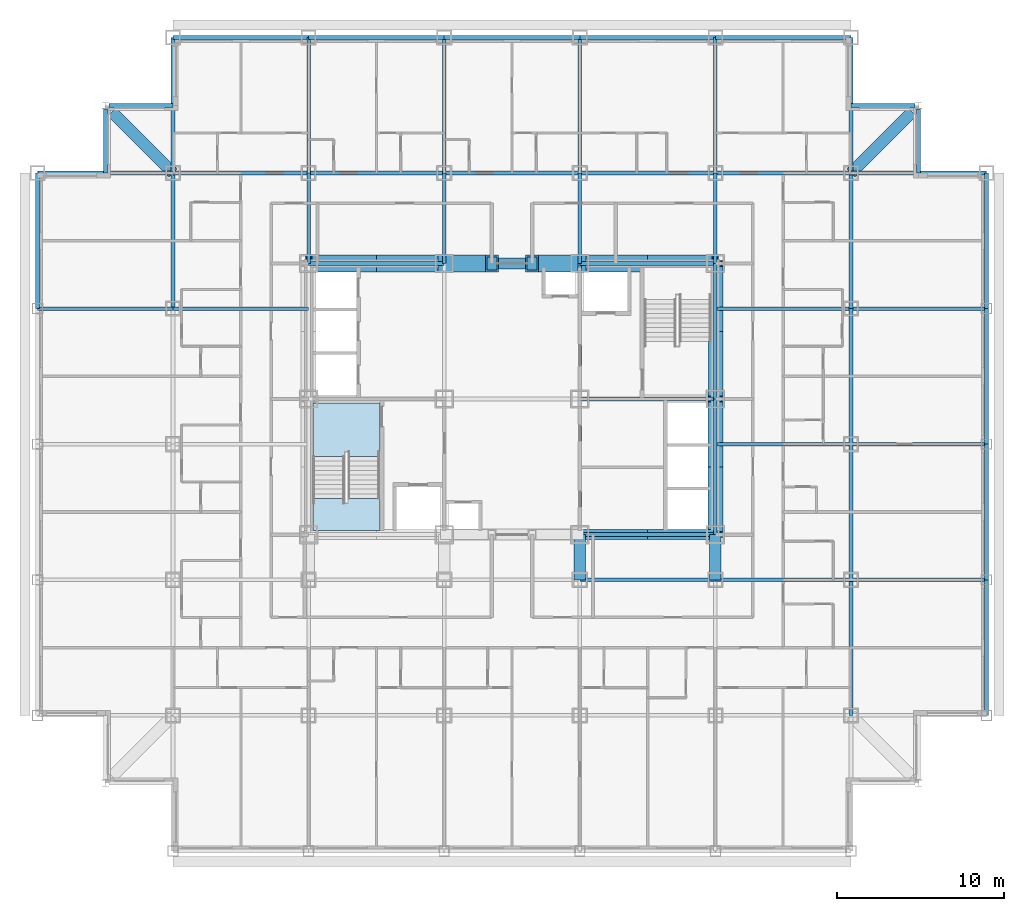
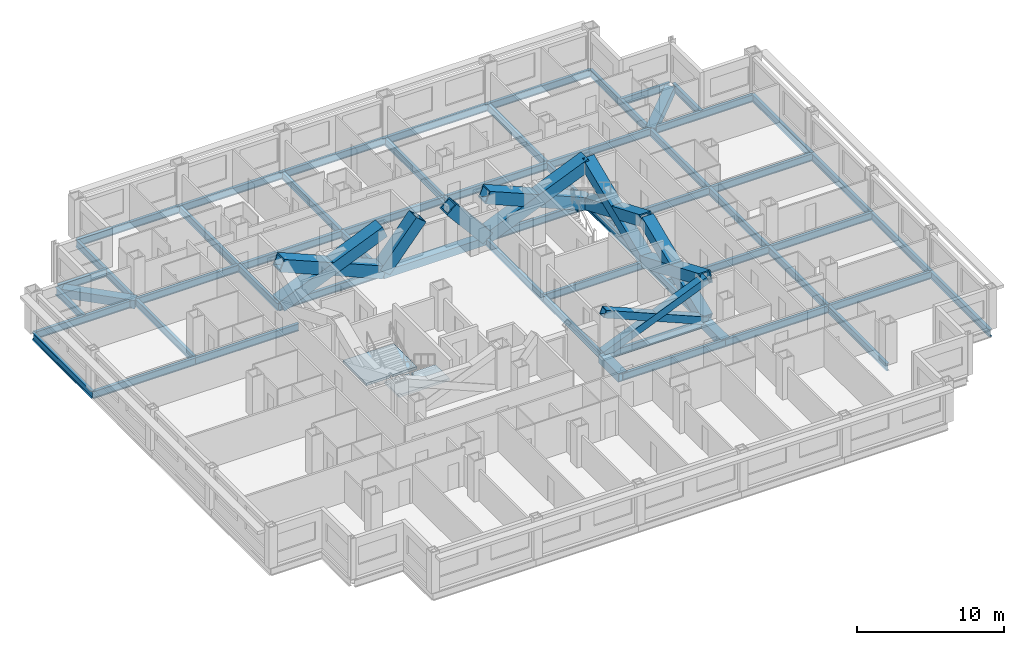
# One storey, part 2 of 12: 58 beams, 12 members, 2 slabs, 1 element without a shape of its own.
"""IFC4 building model written with IfcOpenShell, lengths in metres."""

from ifc_helpers import new_model, si_unit, direction, frame, origin, origin_2d, place, context, subcontext, project, spatial, polyline, hollow_rectangle, i_section, outline, extrude, material, layer, layer_set, material_profile, profile_set, type_object, element, aggregate, save


model = new_model("IFC4")

# Units and contexts
model_context = context("Model", 3, precision=1e-05, world=origin(), true_north=direction((0.0, 1.0)))
body_context = subcontext(model_context, "Body", "Model", "MODEL_VIEW")
ifc_project = project(units=[si_unit("LENGTHUNIT", "METRE"), si_unit("AREAUNIT", "SQUARE_METRE"), si_unit("VOLUMEUNIT", "CUBIC_METRE"), si_unit("PLANEANGLEUNIT", "RADIAN"), si_unit("MASSUNIT", "GRAM", prefix="KILO")], contexts=[model_context])

# Site, building, storey
site_placement = place(None, origin())
site = spatial("IfcSite", under=ifc_project, at=site_placement, CompositionType="ELEMENT")
building_placement = place(site_placement, origin())
building = spatial("IfcBuilding", under=site, at=building_placement, Name="Kopane Lantern Tower", CompositionType="ELEMENT")
storey_placement = place(building_placement, frame((0.0, 0.0, 120.39990234375)))
storey = spatial("IfcBuildingStorey", under=building, at=storey_placement, Name="L30", CompositionType="ELEMENT", Elevation=120.39990234375)

# Members
ifc_material_1 = material(Name="Steel S355JR", Category="steel")
ifc_material_profile_1 = material_profile(ifc_material_1, hollow_rectangle(XDim=1.0, YDim=1.0, WallThickness=0.10009765625, at=origin_2d()), Name="BOX 1000x1000x100")
ifc_profile_set_1 = profile_set([ifc_material_profile_1], Name="Steel S355JR")
member_type_1 = type_object("IfcMemberType", Name="BRACE BOX 1000x1000x100", PredefinedType="BRACE", material=ifc_profile_set_1)
for number, where, z_axis, x_axis, name in (
    (1, (16.199951171875, 40.5, -0.2099609375), (0.92205908274, 0.0, 0.387049154419), (0.0, 1.0, 0.0), "Core brace L30"),
    (2, (24.300048828125, 40.5, -0.2099609375), (-0.92205908274, 0.0, 0.387049154419), (0.0, -1.0, 0.0), "Core brace L30"),
):
    element("IfcMember", number, at=place(storey_placement, frame(where, z_axis=z_axis, x_axis=x_axis)), inside=storey, type_object=member_type_1, Name=name, PredefinedType="BRACE", context=body_context, shape_type="SweptSolid", body=[
        extrude(hollow_rectangle(XDim=1.0, YDim=1.0, WallThickness=0.10009765625, at=origin_2d()), origin(), (0.0, 0.0, 1.0), 8.784912109375),
    ])
for number, where, z_axis, x_axis, name in (
    (3, (24.300048828125, 40.5, -0.2099609375), (0.642363165114, 0.0, 0.766400394118), (0.0, 1.0, 0.0), "Core brace L30"),
    (4, (32.39990234375, 40.5, -0.2099609375), (-0.642363165114, 0.0, 0.766400394118), (0.0, -1.0, 0.0), "Core brace L30"),
):
    element("IfcMember", number, at=place(storey_placement, frame(where, z_axis=z_axis, x_axis=x_axis)), inside=storey, type_object=member_type_1, Name=name, PredefinedType="BRACE", context=body_context, shape_type="SweptSolid", body=[
        extrude(hollow_rectangle(XDim=1.0, YDim=1.0, WallThickness=0.10009765625, at=origin_2d()), origin(), (0.0, 0.0, 1.0), 4.4365234375),
    ])
for number, where, z_axis, x_axis, name in (
    (5, (32.39990234375, 40.5, -0.2099609375), (0.92205908274, 0.0, 0.387049154419), (0.0, 1.0, 0.0), "Core brace L30"),
    (6, (40.5, 40.5, -0.2099609375), (-0.92205908274, 0.0, 0.387049154419), (0.0, -1.0, 0.0), "Core brace L30"),
):
    element("IfcMember", number, at=place(storey_placement, frame(where, z_axis=z_axis, x_axis=x_axis)), inside=storey, type_object=member_type_1, Name=name, PredefinedType="BRACE", context=body_context, shape_type="SweptSolid", body=[
        extrude(hollow_rectangle(XDim=1.0, YDim=1.0, WallThickness=0.10009765625, at=origin_2d()), origin(), (0.0, 0.0, 1.0), 8.784912109375),
    ])
ifc_material_2 = material(Name="Steel S355JR", Category="steel")
ifc_material_profile_2 = material_profile(ifc_material_2, hollow_rectangle(XDim=0.60009765625, YDim=0.60009765625, WallThickness=0.050048828125, at=origin_2d()), Name="BOX 600x600x50")
ifc_profile_set_2 = profile_set([ifc_material_profile_2], Name="Steel S355JR")
member_type_2 = type_object("IfcMemberType", Name="BRACE BOX 600x600x50", PredefinedType="BRACE", material=ifc_profile_set_2)
for number, where, z_axis, x_axis, name in (
    (7, (32.39990234375, 24.300048828125, -0.2099609375), (0.92205908274, 0.0, 0.387049154419), (0.0, 1.0, 0.0), "Core brace L30"),
    (8, (40.5, 24.300048828125, -0.2099609375), (-0.92205908274, 0.0, 0.387049154419), (0.0, -1.0, 0.0), "Core brace L30"),
):
    element("IfcMember", number, at=place(storey_placement, frame(where, z_axis=z_axis, x_axis=x_axis)), inside=storey, type_object=member_type_2, Name=name, PredefinedType="BRACE", context=body_context, shape_type="SweptSolid", body=[
        extrude(hollow_rectangle(XDim=0.60009765625, YDim=0.60009765625, WallThickness=0.050048828125, at=origin_2d()), origin(), (0.0, 0.0, 1.0), 8.784912109375),
    ])
ifc_material_3 = material(Name="Steel S355JR", Category="steel")
ifc_material_profile_3 = material_profile(ifc_material_3, hollow_rectangle(XDim=0.89990234375, YDim=0.89990234375, WallThickness=0.090087890625, at=origin_2d()), Name="BOX 900x900x90")
ifc_profile_set_3 = profile_set([ifc_material_profile_3], Name="Steel S355JR")
member_type_3 = type_object("IfcMemberType", Name="BRACE BOX 900x900x90", PredefinedType="BRACE", material=ifc_profile_set_3)
for number, where, z_axis, x_axis, name in (
    (9, (40.5, 24.300048828125, -0.2099609375), (0.0, 0.92205491925, 0.387059072864), (-1.0, 0.0, 0.0), "Core brace L30"),
    (10, (40.5, 32.39990234375, -0.2099609375), (0.0, -0.92205491925, 0.387059072864), (1.0, 0.0, 0.0), "Core brace L30"),
):
    element("IfcMember", number, at=place(storey_placement, frame(where, z_axis=z_axis, x_axis=x_axis)), inside=storey, type_object=member_type_3, Name=name, PredefinedType="BRACE", context=body_context, shape_type="SweptSolid", body=[
        extrude(hollow_rectangle(XDim=0.89990234375, YDim=0.89990234375, WallThickness=0.090087890625, at=origin_2d()), origin(), (0.0, 0.0, 1.0), 8.78466796875),
    ])
for number, where, z_axis, x_axis, name in (
    (11, (40.5, 32.39990234375, -0.2099609375), (0.0, 0.92205908274, 0.387049154419), (-1.0, 0.0, 0.0), "Core brace L30"),
    (12, (40.5, 40.5, -0.2099609375), (0.0, -0.92205908274, 0.387049154419), (1.0, 0.0, 0.0), "Core brace L30"),
):
    element("IfcMember", number, at=place(storey_placement, frame(where, z_axis=z_axis, x_axis=x_axis)), inside=storey, type_object=member_type_3, Name=name, PredefinedType="BRACE", context=body_context, shape_type="SweptSolid", body=[
        extrude(hollow_rectangle(XDim=0.89990234375, YDim=0.89990234375, WallThickness=0.090087890625, at=origin_2d()), origin(), (0.0, 0.0, 1.0), 8.784912109375),
    ])

# Beams
ifc_material_4 = material(Name="Steel S355JR", Category="steel")
ifc_material_profile_4 = material_profile(ifc_material_4, i_section(OverallWidth=0.22900390625, OverallDepth=0.6123046875, WebThickness=0.011962890625, FlangeThickness=0.01953125, FilletRadius=0.0126953125, at=origin_2d()), Name="UB 610x229x125")
ifc_profile_set_4 = profile_set([ifc_material_profile_4], Name="Steel S355JR")
beam_type_1 = type_object("IfcBeamType", Name="CORE BEAM UB 610x229x125", PredefinedType="BEAM", material=ifc_profile_set_4)
beam_1_placement = place(storey_placement, frame((32.39990234375, 24.300048828125, -0.51611328125), z_axis=(0.0, 1.0, 0.0), x_axis=(-1.0, 0.0, 0.0)))
element("IfcBeam", 13, at=beam_1_placement, inside=storey, type_object=beam_type_1, Name="Core Beam L30", PredefinedType="BEAM", context=body_context, shape_type="SweptSolid", body=[
    extrude(i_section(OverallWidth=0.22900390625, OverallDepth=0.6123046875, WebThickness=0.011962890625, FlangeThickness=0.01953125, FilletRadius=0.0126953125, at=origin_2d()), origin(), (0.0, 0.0, 1.0), 8.099853515625),
])
for number, where, z_axis, x_axis, name in (
    (14, (32.39990234375, 32.39990234375, -0.51611328125), (0.0, 1.0, 0.0), (-1.0, 0.0, 0.0), "Core Beam L30"),
    (15, (32.39990234375, 32.39990234375, -0.51611328125), (1.0, 0.0, 0.0), (0.0, 1.0, 0.0), "Core Beam L30"),
):
    element("IfcBeam", number, at=place(storey_placement, frame(where, z_axis=z_axis, x_axis=x_axis)), inside=storey, type_object=beam_type_1, Name=name, PredefinedType="BEAM", context=body_context, shape_type="SweptSolid", body=[
        extrude(i_section(OverallWidth=0.22900390625, OverallDepth=0.6123046875, WebThickness=0.011962890625, FlangeThickness=0.01953125, FilletRadius=0.0126953125, at=origin_2d()), origin(), (0.0, 0.0, 1.0), 8.10009765625),
    ])
ifc_material_5 = material(Name="Steel S355JR", Category="steel")
ifc_material_profile_5 = material_profile(ifc_material_5, hollow_rectangle(XDim=0.699951171875, YDim=0.699951171875, WallThickness=0.06005859375, at=origin_2d()), Name="BOX 700x700x60")
ifc_profile_set_5 = profile_set([ifc_material_profile_5], Name="Steel S355JR")
beam_type_2 = type_object("IfcBeamType", Name="CORNER TIE BEAM BOX 700x700x60", PredefinedType="BEAM", material=ifc_profile_set_5)
beam_2_placement = place(storey_placement, frame((4.447509765625, 49.552490234375, -0.559814453125), z_axis=(0.707106781187, -0.707106781187, 0.0), x_axis=(0.707106781187, 0.707106781187, 0.0)))
element("IfcBeam", 16, at=beam_2_placement, inside=storey, type_object=beam_type_2, Name="Corner Tie Beam L30", PredefinedType="BEAM", context=body_context, shape_type="SweptSolid", body=[
    extrude(hollow_rectangle(XDim=0.699951171875, YDim=0.699951171875, WallThickness=0.06005859375, at=origin_2d()), origin(), (0.0, 0.0, 1.0), 5.16552734375),
])
beam_3_placement = place(storey_placement, frame((52.25244140625, 49.552490234375, -0.559814453125), z_axis=(-0.707083148333, -0.70713041325, 0.0), x_axis=(0.70713041325, -0.707083148333, 0.0)))
element("IfcBeam", 17, at=beam_3_placement, inside=storey, type_object=beam_type_2, Name="Corner Tie Beam L30", PredefinedType="BEAM", context=body_context, shape_type="SweptSolid", body=[
    extrude(hollow_rectangle(XDim=0.699951171875, YDim=0.699951171875, WallThickness=0.06005859375, at=origin_2d()), origin(), (0.0, 0.0, 1.0), 5.165283203125),
])
ifc_material_6 = material(Name="Steel S355JR", Category="steel")
ifc_material_profile_6 = material_profile(ifc_material_6, i_section(OverallWidth=0.22900390625, OverallDepth=0.6123046875, WebThickness=0.011962890625, FlangeThickness=0.01953125, FilletRadius=0.0126953125, at=origin_2d()), Name="UB 610x229x125")
ifc_profile_set_6 = profile_set([ifc_material_profile_6], Name="Steel S355JR")
beam_type_3 = type_object("IfcBeamType", Name="EDGE BEAM UB 610x229x125", PredefinedType="BEAM", material=ifc_profile_set_6)
for number, where, z_axis, x_axis, name in (
    (18, (4.050048828125, 49.74658203125, -0.51611328125), (0.0, -1.0, 0.0), (1.0, 0.0, 0.0), "Edge Beam L30"),
    (19, (4.25341796875, 49.949951171875, -0.51611328125), (1.0, 0.0, 0.0), (0.0, 1.0, 0.0), "Edge Beam L30"),
):
    element("IfcBeam", number, at=place(storey_placement, frame(where, z_axis=z_axis, x_axis=x_axis)), inside=storey, type_object=beam_type_3, Name=name, PredefinedType="BEAM", context=body_context, shape_type="SweptSolid", body=[
        extrude(i_section(OverallWidth=0.22900390625, OverallDepth=0.6123046875, WebThickness=0.011962890625, FlangeThickness=0.01953125, FilletRadius=0.0126953125, at=origin_2d()), origin(), (0.0, 0.0, 1.0), 3.8466796875),
    ])
beam_4_placement = place(storey_placement, frame((52.446533203125, 49.949951171875, -0.51611328125), z_axis=(-1.0, 0.0, 0.0), x_axis=(0.0, -1.0, 0.0)))
element("IfcBeam", 20, at=beam_4_placement, inside=storey, type_object=beam_type_3, Name="Edge Beam L30", PredefinedType="BEAM", context=body_context, shape_type="SweptSolid", body=[
    extrude(i_section(OverallWidth=0.22900390625, OverallDepth=0.6123046875, WebThickness=0.011962890625, FlangeThickness=0.01953125, FilletRadius=0.0126953125, at=origin_2d()), origin(), (0.0, 0.0, 1.0), 3.846435546875),
])
beam_5_placement = place(storey_placement, frame((52.64990234375, 49.74658203125, -0.51611328125), z_axis=(0.0, -1.0, 0.0), x_axis=(1.0, 0.0, 0.0)))
element("IfcBeam", 21, at=beam_5_placement, inside=storey, type_object=beam_type_3, Name="Edge Beam L30", PredefinedType="BEAM", context=body_context, shape_type="SweptSolid", body=[
    extrude(i_section(OverallWidth=0.22900390625, OverallDepth=0.6123046875, WebThickness=0.011962890625, FlangeThickness=0.01953125, FilletRadius=0.0126953125, at=origin_2d()), origin(), (0.0, 0.0, 1.0), 3.8466796875),
])
ifc_material_7 = material(Name="Steel S355JR", Category="steel")
ifc_material_profile_7 = material_profile(ifc_material_7, hollow_rectangle(XDim=0.699951171875, YDim=0.699951171875, WallThickness=0.06005859375, at=origin_2d()), Name="BOX 700x700x60")
ifc_profile_set_7 = profile_set([ifc_material_profile_7], Name="Steel S355JR")
beam_type_4 = type_object("IfcBeamType", Name="GIRDER BOX 700x700x60", PredefinedType="BEAM", material=ifc_profile_set_7)
for number, where, z_axis, x_axis, name in (
    (22, (32.39990234375, 21.60009765625, -0.559814453125), (0.0, 1.0, 0.0), (-1.0, 0.0, 0.0), "Girder L30"),
    (23, (40.5, 21.60009765625, -0.559814453125), (0.0, 1.0, 0.0), (-1.0, 0.0, 0.0), "Girder L30"),
):
    element("IfcBeam", number, at=place(storey_placement, frame(where, z_axis=z_axis, x_axis=x_axis)), inside=storey, type_object=beam_type_4, Name=name, PredefinedType="BEAM", context=body_context, shape_type="SweptSolid", body=[
        extrude(hollow_rectangle(XDim=0.699951171875, YDim=0.699951171875, WallThickness=0.06005859375, at=origin_2d()), origin(), (0.0, 0.0, 1.0), 2.699951171875),
    ])
ifc_material_8 = material(Name="Steel S355JR", Category="steel")
ifc_material_profile_8 = material_profile(ifc_material_8, i_section(OverallWidth=0.22900390625, OverallDepth=0.6123046875, WebThickness=0.011962890625, FlangeThickness=0.01953125, FilletRadius=0.0126953125, at=origin_2d()), Name="UB 610x229x125")
ifc_profile_set_8 = profile_set([ifc_material_profile_8], Name="Steel S355JR")
beam_type_5 = type_object("IfcBeamType", Name="GIRDER UB 610x229x125", PredefinedType="BEAM", material=ifc_profile_set_8)
beam_6_placement = place(storey_placement, frame((0.0, 37.800048828125, -0.51611328125), z_axis=(0.0, 1.0, 0.0), x_axis=(-1.0, 0.0, 0.0)))
element("IfcBeam", 24, at=beam_6_placement, inside=storey, type_object=beam_type_5, Name="Girder L30", PredefinedType="BEAM", context=body_context, shape_type="SweptSolid", body=[
    extrude(i_section(OverallWidth=0.22900390625, OverallDepth=0.6123046875, WebThickness=0.011962890625, FlangeThickness=0.01953125, FilletRadius=0.0126953125, at=origin_2d()), origin(), (0.0, 0.0, 1.0), 8.099853515625),
])
for number, where, z_axis, x_axis, name in (
    (25, (0.0, 37.800048828125, -0.51611328125), (1.0, 0.0, 0.0), (0.0, 1.0, 0.0), "Girder L30"),
    (26, (0.0, 45.89990234375, -0.51611328125), (1.0, 0.0, 0.0), (0.0, 1.0, 0.0), "Girder L30"),
):
    element("IfcBeam", number, at=place(storey_placement, frame(where, z_axis=z_axis, x_axis=x_axis)), inside=storey, type_object=beam_type_5, Name=name, PredefinedType="BEAM", context=body_context, shape_type="SweptSolid", body=[
        extrude(i_section(OverallWidth=0.22900390625, OverallDepth=0.6123046875, WebThickness=0.011962890625, FlangeThickness=0.01953125, FilletRadius=0.0126953125, at=origin_2d()), origin(), (0.0, 0.0, 1.0), 8.10009765625),
    ])
for number, where, z_axis, x_axis, name in (
    (27, (8.10009765625, 37.800048828125, -0.51611328125), (0.0, 1.0, 0.0), (-1.0, 0.0, 0.0), "Girder L30"),
    (28, (8.10009765625, 37.800048828125, -0.51611328125), (1.0, 0.0, 0.0), (0.0, 1.0, 0.0), "Girder L30"),
):
    element("IfcBeam", number, at=place(storey_placement, frame(where, z_axis=z_axis, x_axis=x_axis)), inside=storey, type_object=beam_type_5, Name=name, PredefinedType="BEAM", context=body_context, shape_type="SweptSolid", body=[
        extrude(i_section(OverallWidth=0.22900390625, OverallDepth=0.6123046875, WebThickness=0.011962890625, FlangeThickness=0.01953125, FilletRadius=0.0126953125, at=origin_2d()), origin(), (0.0, 0.0, 1.0), 8.099853515625),
    ])
beam_7_placement = place(storey_placement, frame((8.10009765625, 45.89990234375, -0.51611328125), z_axis=(0.0, 1.0, 0.0), x_axis=(-1.0, 0.0, 0.0)))
element("IfcBeam", 29, at=beam_7_placement, inside=storey, type_object=beam_type_5, Name="Girder L30", PredefinedType="BEAM", context=body_context, shape_type="SweptSolid", body=[
    extrude(i_section(OverallWidth=0.22900390625, OverallDepth=0.6123046875, WebThickness=0.011962890625, FlangeThickness=0.01953125, FilletRadius=0.0126953125, at=origin_2d()), origin(), (0.0, 0.0, 1.0), 8.10009765625),
])
for number, where, z_axis, x_axis, name in (
    (30, (8.10009765625, 45.89990234375, -0.51611328125), (1.0, 0.0, 0.0), (0.0, 1.0, 0.0), "Girder L30"),
    (31, (8.10009765625, 54.0, -0.51611328125), (1.0, 0.0, 0.0), (0.0, 1.0, 0.0), "Girder L30"),
):
    element("IfcBeam", number, at=place(storey_placement, frame(where, z_axis=z_axis, x_axis=x_axis)), inside=storey, type_object=beam_type_5, Name=name, PredefinedType="BEAM", context=body_context, shape_type="SweptSolid", body=[
        extrude(i_section(OverallWidth=0.22900390625, OverallDepth=0.6123046875, WebThickness=0.011962890625, FlangeThickness=0.01953125, FilletRadius=0.0126953125, at=origin_2d()), origin(), (0.0, 0.0, 1.0), 8.099853515625),
    ])
beam_8_placement = place(storey_placement, frame((16.199951171875, 40.5, -0.51611328125), z_axis=(0.0, 1.0, 0.0), x_axis=(-1.0, 0.0, 0.0)))
element("IfcBeam", 32, at=beam_8_placement, inside=storey, type_object=beam_type_5, Name="Girder L30", PredefinedType="BEAM", context=body_context, shape_type="SweptSolid", body=[
    extrude(i_section(OverallWidth=0.22900390625, OverallDepth=0.6123046875, WebThickness=0.011962890625, FlangeThickness=0.01953125, FilletRadius=0.0126953125, at=origin_2d()), origin(), (0.0, 0.0, 1.0), 5.39990234375),
])
for number, where, z_axis, x_axis, name in (
    (33, (16.199951171875, 40.5, -0.51611328125), (1.0, 0.0, 0.0), (0.0, 1.0, 0.0), "Girder L30"),
    (34, (16.199951171875, 45.89990234375, -0.51611328125), (0.0, 1.0, 0.0), (-1.0, 0.0, 0.0), "Girder L30"),
    (35, (16.199951171875, 45.89990234375, -0.51611328125), (1.0, 0.0, 0.0), (0.0, 1.0, 0.0), "Girder L30"),
    (36, (16.199951171875, 54.0, -0.51611328125), (1.0, 0.0, 0.0), (0.0, 1.0, 0.0), "Girder L30"),
):
    element("IfcBeam", number, at=place(storey_placement, frame(where, z_axis=z_axis, x_axis=x_axis)), inside=storey, type_object=beam_type_5, Name=name, PredefinedType="BEAM", context=body_context, shape_type="SweptSolid", body=[
        extrude(i_section(OverallWidth=0.22900390625, OverallDepth=0.6123046875, WebThickness=0.011962890625, FlangeThickness=0.01953125, FilletRadius=0.0126953125, at=origin_2d()), origin(), (0.0, 0.0, 1.0), 8.10009765625),
    ])
beam_9_placement = place(storey_placement, frame((24.300048828125, 40.5, -0.51611328125), z_axis=(0.0, 1.0, 0.0), x_axis=(-1.0, 0.0, 0.0)))
element("IfcBeam", 37, at=beam_9_placement, inside=storey, type_object=beam_type_5, Name="Girder L30", PredefinedType="BEAM", context=body_context, shape_type="SweptSolid", body=[
    extrude(i_section(OverallWidth=0.22900390625, OverallDepth=0.6123046875, WebThickness=0.011962890625, FlangeThickness=0.01953125, FilletRadius=0.0126953125, at=origin_2d()), origin(), (0.0, 0.0, 1.0), 5.39990234375),
])
beam_10_placement = place(storey_placement, frame((24.300048828125, 45.89990234375, -0.51611328125), z_axis=(0.0, 1.0, 0.0), x_axis=(-1.0, 0.0, 0.0)))
element("IfcBeam", 38, at=beam_10_placement, inside=storey, type_object=beam_type_5, Name="Girder L30", PredefinedType="BEAM", context=body_context, shape_type="SweptSolid", body=[
    extrude(i_section(OverallWidth=0.22900390625, OverallDepth=0.6123046875, WebThickness=0.011962890625, FlangeThickness=0.01953125, FilletRadius=0.0126953125, at=origin_2d()), origin(), (0.0, 0.0, 1.0), 8.10009765625),
])
for number, where, z_axis, x_axis, name in (
    (39, (24.300048828125, 45.89990234375, -0.51611328125), (1.0, 0.0, 0.0), (0.0, 1.0, 0.0), "Girder L30"),
    (40, (24.300048828125, 54.0, -0.51611328125), (1.0, 0.0, 0.0), (0.0, 1.0, 0.0), "Girder L30"),
):
    element("IfcBeam", number, at=place(storey_placement, frame(where, z_axis=z_axis, x_axis=x_axis)), inside=storey, type_object=beam_type_5, Name=name, PredefinedType="BEAM", context=body_context, shape_type="SweptSolid", body=[
        extrude(i_section(OverallWidth=0.22900390625, OverallDepth=0.6123046875, WebThickness=0.011962890625, FlangeThickness=0.01953125, FilletRadius=0.0126953125, at=origin_2d()), origin(), (0.0, 0.0, 1.0), 8.099853515625),
    ])
for number, where, z_axis, x_axis, name in (
    (41, (32.39990234375, 21.60009765625, -0.51611328125), (1.0, 0.0, 0.0), (0.0, 1.0, 0.0), "Girder L30"),
    (42, (32.39990234375, 24.300048828125, -0.51611328125), (1.0, 0.0, 0.0), (0.0, 1.0, 0.0), "Girder L30"),
):
    element("IfcBeam", number, at=place(storey_placement, frame(where, z_axis=z_axis, x_axis=x_axis)), inside=storey, type_object=beam_type_5, Name=name, PredefinedType="BEAM", context=body_context, shape_type="SweptSolid", body=[
        extrude(i_section(OverallWidth=0.22900390625, OverallDepth=0.6123046875, WebThickness=0.011962890625, FlangeThickness=0.01953125, FilletRadius=0.0126953125, at=origin_2d()), origin(), (0.0, 0.0, 1.0), 8.10009765625),
    ])
beam_11_placement = place(storey_placement, frame((32.39990234375, 40.5, -0.51611328125), z_axis=(0.0, 1.0, 0.0), x_axis=(-1.0, 0.0, 0.0)))
element("IfcBeam", 43, at=beam_11_placement, inside=storey, type_object=beam_type_5, Name="Girder L30", PredefinedType="BEAM", context=body_context, shape_type="SweptSolid", body=[
    extrude(i_section(OverallWidth=0.22900390625, OverallDepth=0.6123046875, WebThickness=0.011962890625, FlangeThickness=0.01953125, FilletRadius=0.0126953125, at=origin_2d()), origin(), (0.0, 0.0, 1.0), 5.39990234375),
])
for number, where, z_axis, x_axis, name in (
    (44, (32.39990234375, 40.5, -0.51611328125), (1.0, 0.0, 0.0), (0.0, 1.0, 0.0), "Girder L30"),
    (45, (32.39990234375, 45.89990234375, -0.51611328125), (0.0, 1.0, 0.0), (-1.0, 0.0, 0.0), "Girder L30"),
    (46, (32.39990234375, 45.89990234375, -0.51611328125), (1.0, 0.0, 0.0), (0.0, 1.0, 0.0), "Girder L30"),
    (47, (32.39990234375, 54.0, -0.51611328125), (1.0, 0.0, 0.0), (0.0, 1.0, 0.0), "Girder L30"),
    (48, (40.5, 21.60009765625, -0.51611328125), (1.0, 0.0, 0.0), (0.0, 1.0, 0.0), "Girder L30"),
):
    element("IfcBeam", number, at=place(storey_placement, frame(where, z_axis=z_axis, x_axis=x_axis)), inside=storey, type_object=beam_type_5, Name=name, PredefinedType="BEAM", context=body_context, shape_type="SweptSolid", body=[
        extrude(i_section(OverallWidth=0.22900390625, OverallDepth=0.6123046875, WebThickness=0.011962890625, FlangeThickness=0.01953125, FilletRadius=0.0126953125, at=origin_2d()), origin(), (0.0, 0.0, 1.0), 8.10009765625),
    ])
beam_12_placement = place(storey_placement, frame((40.5, 24.300048828125, -0.51611328125), z_axis=(0.0, 1.0, 0.0), x_axis=(-1.0, 0.0, 0.0)))
element("IfcBeam", 49, at=beam_12_placement, inside=storey, type_object=beam_type_5, Name="Girder L30", PredefinedType="BEAM", context=body_context, shape_type="SweptSolid", body=[
    extrude(i_section(OverallWidth=0.22900390625, OverallDepth=0.6123046875, WebThickness=0.011962890625, FlangeThickness=0.01953125, FilletRadius=0.0126953125, at=origin_2d()), origin(), (0.0, 0.0, 1.0), 8.099853515625),
])
for number, where, z_axis, x_axis, name in (
    (50, (40.5, 29.699951171875, -0.51611328125), (1.0, 0.0, 0.0), (0.0, 1.0, 0.0), "Girder L30"),
    (51, (40.5, 32.39990234375, -0.51611328125), (0.0, 1.0, 0.0), (-1.0, 0.0, 0.0), "Girder L30"),
    (52, (40.5, 37.800048828125, -0.51611328125), (1.0, 0.0, 0.0), (0.0, 1.0, 0.0), "Girder L30"),
):
    element("IfcBeam", number, at=place(storey_placement, frame(where, z_axis=z_axis, x_axis=x_axis)), inside=storey, type_object=beam_type_5, Name=name, PredefinedType="BEAM", context=body_context, shape_type="SweptSolid", body=[
        extrude(i_section(OverallWidth=0.22900390625, OverallDepth=0.6123046875, WebThickness=0.011962890625, FlangeThickness=0.01953125, FilletRadius=0.0126953125, at=origin_2d()), origin(), (0.0, 0.0, 1.0), 8.10009765625),
    ])
beam_13_placement = place(storey_placement, frame((40.5, 40.5, -0.51611328125), z_axis=(0.0, 1.0, 0.0), x_axis=(-1.0, 0.0, 0.0)))
element("IfcBeam", 53, at=beam_13_placement, inside=storey, type_object=beam_type_5, Name="Girder L30", PredefinedType="BEAM", context=body_context, shape_type="SweptSolid", body=[
    extrude(i_section(OverallWidth=0.22900390625, OverallDepth=0.6123046875, WebThickness=0.011962890625, FlangeThickness=0.01953125, FilletRadius=0.0126953125, at=origin_2d()), origin(), (0.0, 0.0, 1.0), 5.39990234375),
])
for number, where, z_axis, x_axis, name in (
    (54, (40.5, 45.89990234375, -0.51611328125), (0.0, 1.0, 0.0), (-1.0, 0.0, 0.0), "Girder L30"),
    (55, (40.5, 45.89990234375, -0.51611328125), (1.0, 0.0, 0.0), (0.0, 1.0, 0.0), "Girder L30"),
    (56, (40.5, 54.0, -0.51611328125), (1.0, 0.0, 0.0), (0.0, 1.0, 0.0), "Girder L30"),
    (57, (48.60009765625, 13.5, -0.51611328125), (0.0, 1.0, 0.0), (-1.0, 0.0, 0.0), "Girder L30"),
):
    element("IfcBeam", number, at=place(storey_placement, frame(where, z_axis=z_axis, x_axis=x_axis)), inside=storey, type_object=beam_type_5, Name=name, PredefinedType="BEAM", context=body_context, shape_type="SweptSolid", body=[
        extrude(i_section(OverallWidth=0.22900390625, OverallDepth=0.6123046875, WebThickness=0.011962890625, FlangeThickness=0.01953125, FilletRadius=0.0126953125, at=origin_2d()), origin(), (0.0, 0.0, 1.0), 8.10009765625),
    ])
for number, where, z_axis, x_axis, name in (
    (58, (48.60009765625, 21.60009765625, -0.51611328125), (0.0, 1.0, 0.0), (-1.0, 0.0, 0.0), "Girder L30"),
    (59, (48.60009765625, 21.60009765625, -0.51611328125), (1.0, 0.0, 0.0), (0.0, 1.0, 0.0), "Girder L30"),
):
    element("IfcBeam", number, at=place(storey_placement, frame(where, z_axis=z_axis, x_axis=x_axis)), inside=storey, type_object=beam_type_5, Name=name, PredefinedType="BEAM", context=body_context, shape_type="SweptSolid", body=[
        extrude(i_section(OverallWidth=0.22900390625, OverallDepth=0.6123046875, WebThickness=0.011962890625, FlangeThickness=0.01953125, FilletRadius=0.0126953125, at=origin_2d()), origin(), (0.0, 0.0, 1.0), 8.099853515625),
    ])
beam_14_placement = place(storey_placement, frame((48.60009765625, 29.699951171875, -0.51611328125), z_axis=(0.0, 1.0, 0.0), x_axis=(-1.0, 0.0, 0.0)))
element("IfcBeam", 60, at=beam_14_placement, inside=storey, type_object=beam_type_5, Name="Girder L30", PredefinedType="BEAM", context=body_context, shape_type="SweptSolid", body=[
    extrude(i_section(OverallWidth=0.22900390625, OverallDepth=0.6123046875, WebThickness=0.011962890625, FlangeThickness=0.01953125, FilletRadius=0.0126953125, at=origin_2d()), origin(), (0.0, 0.0, 1.0), 8.10009765625),
])
for number, where, z_axis, x_axis, name in (
    (61, (48.60009765625, 29.699951171875, -0.51611328125), (1.0, 0.0, 0.0), (0.0, 1.0, 0.0), "Girder L30"),
    (62, (48.60009765625, 37.800048828125, -0.51611328125), (0.0, 1.0, 0.0), (-1.0, 0.0, 0.0), "Girder L30"),
    (63, (48.60009765625, 37.800048828125, -0.51611328125), (1.0, 0.0, 0.0), (0.0, 1.0, 0.0), "Girder L30"),
):
    element("IfcBeam", number, at=place(storey_placement, frame(where, z_axis=z_axis, x_axis=x_axis)), inside=storey, type_object=beam_type_5, Name=name, PredefinedType="BEAM", context=body_context, shape_type="SweptSolid", body=[
        extrude(i_section(OverallWidth=0.22900390625, OverallDepth=0.6123046875, WebThickness=0.011962890625, FlangeThickness=0.01953125, FilletRadius=0.0126953125, at=origin_2d()), origin(), (0.0, 0.0, 1.0), 8.099853515625),
    ])
beam_15_placement = place(storey_placement, frame((48.60009765625, 45.89990234375, -0.51611328125), z_axis=(0.0, 1.0, 0.0), x_axis=(-1.0, 0.0, 0.0)))
element("IfcBeam", 64, at=beam_15_placement, inside=storey, type_object=beam_type_5, Name="Girder L30", PredefinedType="BEAM", context=body_context, shape_type="SweptSolid", body=[
    extrude(i_section(OverallWidth=0.22900390625, OverallDepth=0.6123046875, WebThickness=0.011962890625, FlangeThickness=0.01953125, FilletRadius=0.0126953125, at=origin_2d()), origin(), (0.0, 0.0, 1.0), 8.10009765625),
])
beam_16_placement = place(storey_placement, frame((48.60009765625, 45.89990234375, -0.51611328125), z_axis=(1.0, 0.0, 0.0), x_axis=(0.0, 1.0, 0.0)))
element("IfcBeam", 65, at=beam_16_placement, inside=storey, type_object=beam_type_5, Name="Girder L30", PredefinedType="BEAM", context=body_context, shape_type="SweptSolid", body=[
    extrude(i_section(OverallWidth=0.22900390625, OverallDepth=0.6123046875, WebThickness=0.011962890625, FlangeThickness=0.01953125, FilletRadius=0.0126953125, at=origin_2d()), origin(), (0.0, 0.0, 1.0), 8.099853515625),
])
beam_17_placement = place(storey_placement, frame((56.699951171875, 13.5, -0.51611328125), z_axis=(0.0, 1.0, 0.0), x_axis=(-1.0, 0.0, 0.0)))
element("IfcBeam", 66, at=beam_17_placement, inside=storey, type_object=beam_type_5, Name="Girder L30", PredefinedType="BEAM", context=body_context, shape_type="SweptSolid", body=[
    extrude(i_section(OverallWidth=0.22900390625, OverallDepth=0.6123046875, WebThickness=0.011962890625, FlangeThickness=0.01953125, FilletRadius=0.0126953125, at=origin_2d()), origin(), (0.0, 0.0, 1.0), 8.10009765625),
])
beam_18_placement = place(storey_placement, frame((56.699951171875, 21.60009765625, -0.51611328125), z_axis=(0.0, 1.0, 0.0), x_axis=(-1.0, 0.0, 0.0)))
element("IfcBeam", 67, at=beam_18_placement, inside=storey, type_object=beam_type_5, Name="Girder L30", PredefinedType="BEAM", context=body_context, shape_type="SweptSolid", body=[
    extrude(i_section(OverallWidth=0.22900390625, OverallDepth=0.6123046875, WebThickness=0.011962890625, FlangeThickness=0.01953125, FilletRadius=0.0126953125, at=origin_2d()), origin(), (0.0, 0.0, 1.0), 8.099853515625),
])
beam_19_placement = place(storey_placement, frame((56.699951171875, 29.699951171875, -0.51611328125), z_axis=(0.0, 1.0, 0.0), x_axis=(-1.0, 0.0, 0.0)))
element("IfcBeam", 68, at=beam_19_placement, inside=storey, type_object=beam_type_5, Name="Girder L30", PredefinedType="BEAM", context=body_context, shape_type="SweptSolid", body=[
    extrude(i_section(OverallWidth=0.22900390625, OverallDepth=0.6123046875, WebThickness=0.011962890625, FlangeThickness=0.01953125, FilletRadius=0.0126953125, at=origin_2d()), origin(), (0.0, 0.0, 1.0), 8.10009765625),
])
beam_20_placement = place(storey_placement, frame((56.699951171875, 37.800048828125, -0.51611328125), z_axis=(0.0, 1.0, 0.0), x_axis=(-1.0, 0.0, 0.0)))
element("IfcBeam", 69, at=beam_20_placement, inside=storey, type_object=beam_type_5, Name="Girder L30", PredefinedType="BEAM", context=body_context, shape_type="SweptSolid", body=[
    extrude(i_section(OverallWidth=0.22900390625, OverallDepth=0.6123046875, WebThickness=0.011962890625, FlangeThickness=0.01953125, FilletRadius=0.0126953125, at=origin_2d()), origin(), (0.0, 0.0, 1.0), 8.099853515625),
])
ifc_material_9 = material(Name="Steel S355JR", Category="steel")
ifc_material_profile_9 = material_profile(ifc_material_9, hollow_rectangle(XDim=0.64990234375, YDim=0.64990234375, WallThickness=0.070068359375, at=origin_2d()), Name="BOX 650x650x70")
ifc_profile_set_9 = profile_set([ifc_material_profile_9], Name="Steel S355JR")
beam_type_6 = type_object("IfcBeamType", Name="LINK BEAM BOX 650x650x70", PredefinedType="BEAM", material=ifc_profile_set_9)
beam_21_placement = place(storey_placement, frame((24.300048828125, 40.5, -0.534912109375), z_axis=(1.0, 0.0, 0.0), x_axis=(0.0, 1.0, 0.0)))
element("IfcBeam", 70, at=beam_21_placement, inside=storey, type_object=beam_type_6, Name="Link Beam L30", PredefinedType="BEAM", context=body_context, shape_type="SweptSolid", body=[
    extrude(hollow_rectangle(XDim=0.64990234375, YDim=0.64990234375, WallThickness=0.070068359375, at=origin_2d()), origin(), (0.0, 0.0, 1.0), 8.099853515625),
])

# Stair, slabs
ifc_material_10 = material(Name="Steel S355JR", Category="steel")
stair_type = type_object("IfcStairType", Name="EXIT STAIR 1900 HALF TURN", PredefinedType="HALF_TURN_STAIR", material=ifc_material_10)
stair_placement = place(storey_placement, origin())
stair = element("IfcStair", 71, at=stair_placement, inside=storey, type_object=stair_type, Name="Exit stair ST1 L30", PredefinedType="HALF_TURN_STAIR")
ifc_material_11 = material(Name="Concrete C40/50", Category="concrete")
ifc_layer = layer(ifc_material_11, 0.199951171875)
ifc_layer_set = layer_set([ifc_layer], Name="STAIR LANDING 200")
slab_type = type_object("IfcSlabType", Name="STAIR LANDING 200", PredefinedType="LANDING", material=ifc_layer_set)
slab_1_placement = place(storey_placement, frame((0.0, 0.0, -0.199951171875)))
slab_1 = element("IfcSlab", 72, at=slab_1_placement, type_object=slab_type, Name="ST1 landing 1", PredefinedType="LANDING", context=body_context, shape_type="SweptSolid", body=[
    extrude(outline(polyline([(18.35009765625, 29.25), (18.550048828125, 29.25), (18.550048828125, 28.969970703125), (20.449951171875, 28.969970703125), (20.449951171875, 32.14990234375), (16.449951171875, 32.14990234375), (16.449951171875, 28.969970703125), (18.35009765625, 28.969970703125), (18.35009765625, 29.25)])), origin(), (0.0, 0.0, 1.0), 0.199951171875),
])
slab_2_placement = place(storey_placement, frame((0.0, 0.0, 1.5)))
slab_2 = element("IfcSlab", 73, at=slab_2_placement, type_object=slab_type, Name="ST1 landing 2", PredefinedType="LANDING", context=body_context, shape_type="SweptSolid", body=[
    extrude(outline(polyline([(20.449951171875, 26.449951171875), (18.550048828125, 26.449951171875), (18.550048828125, 26.169921875), (18.35009765625, 26.169921875), (18.35009765625, 26.449951171875), (16.449951171875, 26.449951171875), (16.449951171875, 24.550048828125), (20.449951171875, 24.550048828125), (20.449951171875, 26.449951171875)])), origin(), (0.0, 0.0, 1.0), 0.2001953125),
])
aggregate(stair, [slab_1, slab_2])

save(model, "model.ifc")
